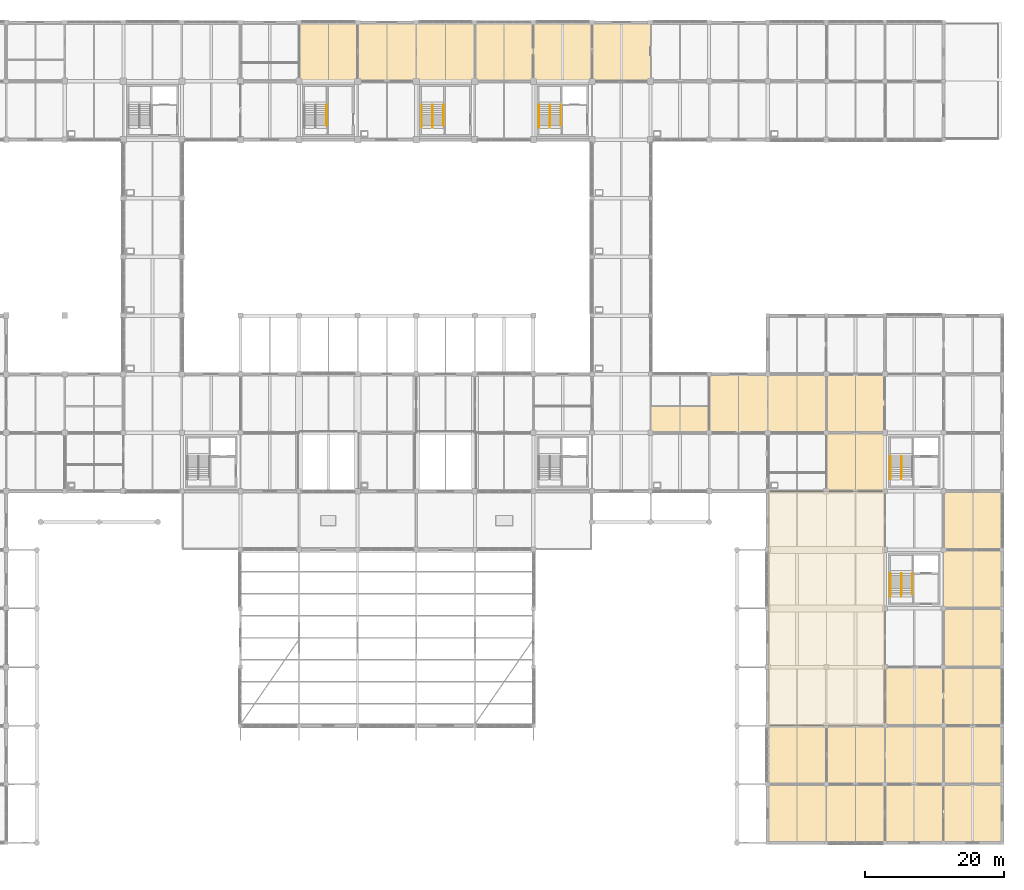
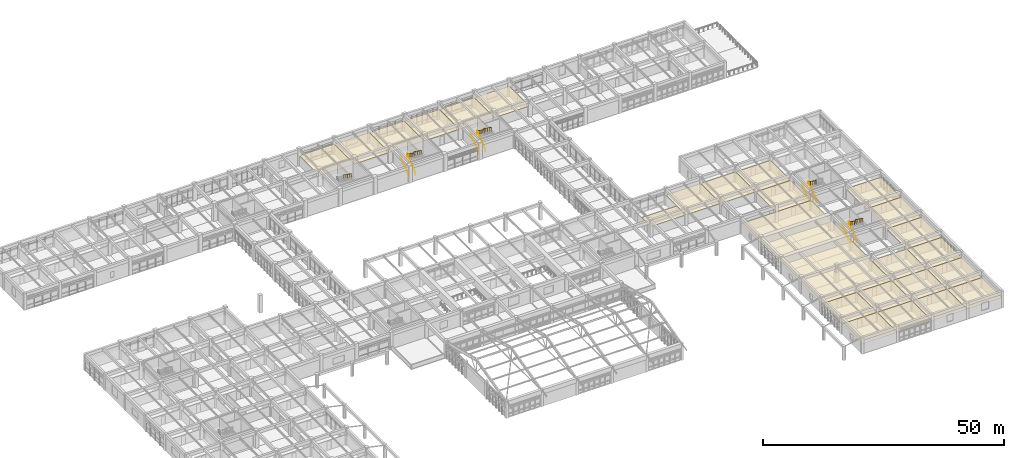
# One storey, part 98 of 99: 25 coverings, 16 railings.
"""IFC4 building model written with IfcOpenShell, lengths in metres."""

from ifc_helpers import new_model, si_unit, direction, frame, origin, origin_2d, place, context, subcontext, project, spatial, polyline, circle, outline, extrude, material, layer, layer_set, type_object, element, save


model = new_model("IFC4")

# Units and contexts
model_context = context("Model", 3, precision=1e-05, world=origin(), true_north=direction((0.0, 1.0)))
body_context = subcontext(model_context, "Body", "Model", "MODEL_VIEW")
ifc_project = project(units=[si_unit("LENGTHUNIT", "METRE"), si_unit("AREAUNIT", "SQUARE_METRE"), si_unit("VOLUMEUNIT", "CUBIC_METRE"), si_unit("PLANEANGLEUNIT", "RADIAN"), si_unit("MASSUNIT", "GRAM", prefix="KILO")], contexts=[model_context])

# Site, building, storey
site_placement = place(None, origin())
site = spatial("IfcSite", under=ifc_project, at=site_placement, CompositionType="ELEMENT")
building_placement = place(site_placement, origin())
building = spatial("IfcBuilding", under=site, at=building_placement, Name="Porcellanite Civic Hall", CompositionType="ELEMENT")
storey_placement = place(building_placement, frame((0.0, 0.0, 5.760009765625)))
storey = spatial("IfcBuildingStorey", under=building, at=storey_placement, Name="L01", CompositionType="ELEMENT", Elevation=5.760009765625)

# Coverings
ifc_material_1 = material(Name="Perforated acoustic mineral-fibre and spotted-gum batten ceiling")
ifc_layer_1 = layer(ifc_material_1, 0.02490234375)
ifc_layer_set_1 = layer_set([ifc_layer_1], Name="Perforated acoustic mineral-fibre and spotted-gum batten ceiling")
covering_type_1 = type_object("IfcCoveringType", Name="COV-CL1", PredefinedType="CEILING", material=ifc_layer_set_1)
covering_1_placement = place(storey_placement, frame((0.0, 0.0, 2.375)))
element("IfcCovering", 1, at=covering_1_placement, inside=storey, type_object=covering_type_1, Name="Acoustic ceiling Parliamentary Research Suite L01-A", PredefinedType="CEILING", context=body_context, shape_type="SweptSolid", body=[
    extrude(outline(polyline([(126.010009765625, 58.81005859375), (134.389892578125, 58.81005859375), (134.389892578125, 62.590087890625), (126.010009765625, 62.590087890625), (126.010009765625, 58.81005859375)])), origin(), (0.0, 0.0, 1.0), 0.02490234375),
])
covering_2_placement = place(storey_placement, frame((0.0, 0.0, 2.375)))
element("IfcCovering", 2, at=covering_2_placement, inside=storey, type_object=covering_type_1, Name="Acoustic ceiling Procurement Suite L01-59", PredefinedType="CEILING", context=body_context, shape_type="SweptSolid", body=[
    extrude(outline(polyline([(75.610107421875, 109.2099609375), (83.989990234375, 109.2099609375), (83.989990234375, 117.590087890625), (75.610107421875, 117.590087890625), (75.610107421875, 109.2099609375)])), origin(), (0.0, 0.0, 1.0), 0.02490234375),
])
covering_3_placement = place(storey_placement, frame((0.0, 0.0, 2.375)))
element("IfcCovering", 3, at=covering_3_placement, inside=storey, type_object=covering_type_1, Name="Acoustic ceiling Civic Events Directorate L01-62", PredefinedType="CEILING", context=body_context, shape_type="SweptSolid", body=[
    extrude(outline(polyline([(84.010009765625, 109.2099609375), (92.389892578125, 109.2099609375), (92.389892578125, 117.590087890625), (84.010009765625, 117.590087890625), (84.010009765625, 109.2099609375)])), origin(), (0.0, 0.0, 1.0), 0.02490234375),
])
covering_4_placement = place(storey_placement, frame((0.0, 0.0, 2.375)))
element("IfcCovering", 4, at=covering_4_placement, inside=storey, type_object=covering_type_1, Name="Acoustic ceiling Municipal Finance Office L01-64", PredefinedType="CEILING", context=body_context, shape_type="SweptSolid", body=[
    extrude(outline(polyline([(92.409912109375, 109.2099609375), (100.7900390625, 109.2099609375), (100.7900390625, 117.590087890625), (92.409912109375, 117.590087890625), (92.409912109375, 109.2099609375)])), origin(), (0.0, 0.0, 1.0), 0.02490234375),
])
covering_5_placement = place(storey_placement, frame((0.0, 0.0, 2.375)))
element("IfcCovering", 5, at=covering_5_placement, inside=storey, type_object=covering_type_1, Name="Acoustic ceiling Civic Events Directorate L01-68", PredefinedType="CEILING", context=body_context, shape_type="SweptSolid", body=[
    extrude(outline(polyline([(100.81005859375, 109.2099609375), (109.18994140625, 109.2099609375), (109.18994140625, 117.590087890625), (100.81005859375, 117.590087890625), (100.81005859375, 109.2099609375)])), origin(), (0.0, 0.0, 1.0), 0.02490234375),
])
covering_6_placement = place(storey_placement, frame((0.0, 0.0, 2.375)))
element("IfcCovering", 6, at=covering_6_placement, inside=storey, type_object=covering_type_1, Name="Acoustic ceiling Civic Events Directorate L01-69", PredefinedType="CEILING", context=body_context, shape_type="SweptSolid", body=[
    extrude(outline(polyline([(109.2099609375, 109.2099609375), (117.590087890625, 109.2099609375), (117.590087890625, 117.590087890625), (109.2099609375, 117.590087890625), (109.2099609375, 109.2099609375)])), origin(), (0.0, 0.0, 1.0), 0.02490234375),
])
covering_7_placement = place(storey_placement, frame((0.0, 0.0, 2.375)))
element("IfcCovering", 7, at=covering_7_placement, inside=storey, type_object=covering_type_1, Name="Acoustic ceiling Customer Relations Office L01-77", PredefinedType="CEILING", context=body_context, shape_type="SweptSolid", body=[
    extrude(outline(polyline([(117.610107421875, 109.2099609375), (125.989990234375, 109.2099609375), (125.989990234375, 117.590087890625), (117.610107421875, 117.590087890625), (117.610107421875, 109.2099609375)])), origin(), (0.0, 0.0, 1.0), 0.02490234375),
])
covering_8_placement = place(storey_placement, frame((0.0, 0.0, 2.375)))
element("IfcCovering", 8, at=covering_8_placement, inside=storey, type_object=covering_type_1, Name="Acoustic ceiling Hansard Bound Volumes Office L01-81", PredefinedType="CEILING", context=body_context, shape_type="SweptSolid", body=[
    extrude(outline(polyline([(134.409912109375, 58.81005859375), (142.7900390625, 58.81005859375), (142.7900390625, 67.18994140625), (134.409912109375, 67.18994140625), (134.409912109375, 58.81005859375)])), origin(), (0.0, 0.0, 1.0), 0.02490234375),
])
covering_9_placement = place(storey_placement, frame((0.0, 0.0, 2.375)))
element("IfcCovering", 9, at=covering_9_placement, inside=storey, type_object=covering_type_1, Name="Acoustic ceiling Parliamentary Research Suite L01-83", PredefinedType="CEILING", context=body_context, shape_type="SweptSolid", body=[
    extrude(outline(polyline([(142.81005859375, 0.010009765625), (151.18994140625, 0.010009765625), (151.18994140625, 8.389892578125), (142.81005859375, 8.389892578125), (142.81005859375, 0.010009765625)])), origin(), (0.0, 0.0, 1.0), 0.02490234375),
])
covering_10_placement = place(storey_placement, frame((0.0, 0.0, 2.375)))
element("IfcCovering", 10, at=covering_10_placement, inside=storey, type_object=covering_type_1, Name="Acoustic ceiling Legislative Indexing Office L01-84", PredefinedType="CEILING", context=body_context, shape_type="SweptSolid", body=[
    extrude(outline(polyline([(142.81005859375, 8.409912109375), (151.18994140625, 8.409912109375), (151.18994140625, 16.7900390625), (142.81005859375, 16.7900390625), (142.81005859375, 8.409912109375)])), origin(), (0.0, 0.0, 1.0), 0.02490234375),
])
covering_11_placement = place(storey_placement, frame((0.0, 0.0, 2.375)))
element("IfcCovering", 11, at=covering_11_placement, inside=storey, type_object=covering_type_1, Name="Acoustic ceiling Hansard Bound Volumes Office L01-85", PredefinedType="CEILING", context=body_context, shape_type="SweptSolid", body=[
    extrude(outline(polyline([(142.81005859375, 58.81005859375), (151.18994140625, 58.81005859375), (151.18994140625, 67.18994140625), (142.81005859375, 67.18994140625), (142.81005859375, 58.81005859375)])), origin(), (0.0, 0.0, 1.0), 0.02490234375),
])
covering_12_placement = place(storey_placement, frame((0.0, 0.0, 2.375)))
element("IfcCovering", 12, at=covering_12_placement, inside=storey, type_object=covering_type_1, Name="Acoustic ceiling Legislative Indexing Office L01-89", PredefinedType="CEILING", context=body_context, shape_type="SweptSolid", body=[
    extrude(outline(polyline([(151.2099609375, 0.010009765625), (159.590087890625, 0.010009765625), (159.590087890625, 8.389892578125), (151.2099609375, 8.389892578125), (151.2099609375, 0.010009765625)])), origin(), (0.0, 0.0, 1.0), 0.02490234375),
])
covering_13_placement = place(storey_placement, frame((0.0, 0.0, 2.375)))
element("IfcCovering", 13, at=covering_13_placement, inside=storey, type_object=covering_type_1, Name="Acoustic ceiling Hansard Bound Volumes Office L01-90", PredefinedType="CEILING", context=body_context, shape_type="SweptSolid", body=[
    extrude(outline(polyline([(151.2099609375, 8.409912109375), (159.590087890625, 8.409912109375), (159.590087890625, 16.7900390625), (151.2099609375, 16.7900390625), (151.2099609375, 8.409912109375)])), origin(), (0.0, 0.0, 1.0), 0.02490234375),
])
covering_14_placement = place(storey_placement, frame((0.0, 0.0, 2.375)))
element("IfcCovering", 14, at=covering_14_placement, inside=storey, type_object=covering_type_1, Name="Acoustic ceiling Parliamentary Research Suite L01-91", PredefinedType="CEILING", context=body_context, shape_type="SweptSolid", body=[
    extrude(outline(polyline([(151.2099609375, 50.409912109375), (159.590087890625, 50.409912109375), (159.590087890625, 58.7900390625), (151.2099609375, 58.7900390625), (151.2099609375, 50.409912109375)])), origin(), (0.0, 0.0, 1.0), 0.02490234375),
])
covering_15_placement = place(storey_placement, frame((0.0, 0.0, 2.375)))
element("IfcCovering", 15, at=covering_15_placement, inside=storey, type_object=covering_type_1, Name="Acoustic ceiling Legislative Indexing Office L01-92", PredefinedType="CEILING", context=body_context, shape_type="SweptSolid", body=[
    extrude(outline(polyline([(151.2099609375, 58.81005859375), (159.590087890625, 58.81005859375), (159.590087890625, 67.18994140625), (151.2099609375, 67.18994140625), (151.2099609375, 58.81005859375)])), origin(), (0.0, 0.0, 1.0), 0.02490234375),
])
covering_16_placement = place(storey_placement, frame((0.0, 0.0, 2.375)))
element("IfcCovering", 16, at=covering_16_placement, inside=storey, type_object=covering_type_1, Name="Acoustic ceiling Parliamentary Research Suite L01-96", PredefinedType="CEILING", context=body_context, shape_type="SweptSolid", body=[
    extrude(outline(polyline([(159.610107421875, 0.010009765625), (167.989990234375, 0.010009765625), (167.989990234375, 8.389892578125), (159.610107421875, 8.389892578125), (159.610107421875, 0.010009765625)])), origin(), (0.0, 0.0, 1.0), 0.02490234375),
])
covering_17_placement = place(storey_placement, frame((0.0, 0.0, 2.375)))
element("IfcCovering", 17, at=covering_17_placement, inside=storey, type_object=covering_type_1, Name="Acoustic ceiling Legislative Indexing Office L01-97", PredefinedType="CEILING", context=body_context, shape_type="SweptSolid", body=[
    extrude(outline(polyline([(159.610107421875, 8.409912109375), (167.989990234375, 8.409912109375), (167.989990234375, 16.7900390625), (159.610107421875, 16.7900390625), (159.610107421875, 8.409912109375)])), origin(), (0.0, 0.0, 1.0), 0.02490234375),
])
covering_18_placement = place(storey_placement, frame((0.0, 0.0, 2.375)))
element("IfcCovering", 18, at=covering_18_placement, inside=storey, type_object=covering_type_1, Name="Acoustic ceiling Hansard Bound Volumes Office L01-98", PredefinedType="CEILING", context=body_context, shape_type="SweptSolid", body=[
    extrude(outline(polyline([(159.610107421875, 16.81005859375), (167.989990234375, 16.81005859375), (167.989990234375, 25.18994140625), (159.610107421875, 25.18994140625), (159.610107421875, 16.81005859375)])), origin(), (0.0, 0.0, 1.0), 0.02490234375),
])
covering_19_placement = place(storey_placement, frame((0.0, 0.0, 2.375)))
element("IfcCovering", 19, at=covering_19_placement, inside=storey, type_object=covering_type_1, Name="Acoustic ceiling Parliamentary Research Suite L01-105", PredefinedType="CEILING", context=body_context, shape_type="SweptSolid", body=[
    extrude(outline(polyline([(168.010009765625, 0.010009765625), (176.389892578125, 0.010009765625), (176.389892578125, 8.389892578125), (168.010009765625, 8.389892578125), (168.010009765625, 0.010009765625)])), origin(), (0.0, 0.0, 1.0), 0.02490234375),
])
covering_20_placement = place(storey_placement, frame((0.0, 0.0, 2.375)))
element("IfcCovering", 20, at=covering_20_placement, inside=storey, type_object=covering_type_1, Name="Acoustic ceiling Legislative Indexing Office L01-106", PredefinedType="CEILING", context=body_context, shape_type="SweptSolid", body=[
    extrude(outline(polyline([(168.010009765625, 8.409912109375), (176.389892578125, 8.409912109375), (176.389892578125, 16.7900390625), (168.010009765625, 16.7900390625), (168.010009765625, 8.409912109375)])), origin(), (0.0, 0.0, 1.0), 0.02490234375),
])
covering_21_placement = place(storey_placement, frame((0.0, 0.0, 2.375)))
element("IfcCovering", 21, at=covering_21_placement, inside=storey, type_object=covering_type_1, Name="Acoustic ceiling Hansard Bound Volumes Office L01-107", PredefinedType="CEILING", context=body_context, shape_type="SweptSolid", body=[
    extrude(outline(polyline([(168.010009765625, 16.81005859375), (176.389892578125, 16.81005859375), (176.389892578125, 25.18994140625), (168.010009765625, 25.18994140625), (168.010009765625, 16.81005859375)])), origin(), (0.0, 0.0, 1.0), 0.02490234375),
])
covering_22_placement = place(storey_placement, frame((0.0, 0.0, 2.375)))
element("IfcCovering", 22, at=covering_22_placement, inside=storey, type_object=covering_type_1, Name="Acoustic ceiling Map and Charter Collection Room L01-108", PredefinedType="CEILING", context=body_context, shape_type="SweptSolid", body=[
    extrude(outline(polyline([(168.010009765625, 25.2099609375), (176.389892578125, 25.2099609375), (176.389892578125, 33.590087890625), (168.010009765625, 33.590087890625), (168.010009765625, 25.2099609375)])), origin(), (0.0, 0.0, 1.0), 0.02490234375),
])
covering_23_placement = place(storey_placement, frame((0.0, 0.0, 2.375)))
element("IfcCovering", 23, at=covering_23_placement, inside=storey, type_object=covering_type_1, Name="Acoustic ceiling Statutes Reference Office L01-109", PredefinedType="CEILING", context=body_context, shape_type="SweptSolid", body=[
    extrude(outline(polyline([(168.010009765625, 33.610107421875), (176.389892578125, 33.610107421875), (176.389892578125, 41.989990234375), (168.010009765625, 41.989990234375), (168.010009765625, 33.610107421875)])), origin(), (0.0, 0.0, 1.0), 0.02490234375),
])
covering_24_placement = place(storey_placement, frame((0.0, 0.0, 2.375)))
element("IfcCovering", 24, at=covering_24_placement, inside=storey, type_object=covering_type_1, Name="Acoustic ceiling Parliamentary Research Suite L01-110", PredefinedType="CEILING", context=body_context, shape_type="SweptSolid", body=[
    extrude(outline(polyline([(168.010009765625, 42.010009765625), (176.389892578125, 42.010009765625), (176.389892578125, 50.389892578125), (168.010009765625, 50.389892578125), (168.010009765625, 42.010009765625)])), origin(), (0.0, 0.0, 1.0), 0.02490234375),
])
ifc_material_2 = material(Name="Perforated acoustic mineral-fibre and spotted-gum batten ceiling")
ifc_layer_2 = layer(ifc_material_2, 0.034912109375)
ifc_layer_set_2 = layer_set([ifc_layer_2], Name="Perforated acoustic mineral-fibre and spotted-gum batten ceiling")
covering_type_2 = type_object("IfcCoveringType", Name="COV-CL2", PredefinedType="CEILING", material=ifc_layer_set_2)
covering_25_placement = place(storey_placement, frame((0.0, 0.0, 2.364990234375)))
element("IfcCovering", 25, at=covering_25_placement, inside=storey, type_object=covering_type_2, Name="Acoustic ceiling Members Library Reading Hall", PredefinedType="CEILING", context=body_context, shape_type="SweptSolid", body=[
    extrude(outline(polyline([(142.81005859375, 16.81005859375), (159.590087890625, 16.81005859375), (159.590087890625, 50.389892578125), (142.81005859375, 50.389892578125), (142.81005859375, 16.81005859375)])), origin(), (0.0, 0.0, 1.0), 0.034912109375),
])

# Railings
ifc_material_3 = material(Name="Brushed stainless steel 316", Category="steel")
railing_type_1 = type_object("IfcRailingType", Name="RL-HR920", PredefinedType="HANDRAIL", material=ifc_material_3)
railing_1_placement = place(storey_placement, frame((109.985107421875, 102.52490234375, 0.0)))
element("IfcRailing", 26, at=railing_1_placement, inside=storey, type_object=railing_type_1, Name="Stair handrail ST-04 L01 1", PredefinedType="HANDRAIL", context=body_context, shape_type="SweptSolid", body=[
    extrude(circle(Radius=0.02197265625, at=origin_2d()), frame((0.0, 0.0, 0.89794921875), z_axis=(0.0, 0.815726678323, 0.578437538782), x_axis=(-1.0, 0.0, 0.0)), (0.0, 0.0, 1.0), 4.045654296875),
    extrude(circle(Radius=0.01904296875, at=origin_2d()), origin(), (0.0, 0.0, 1.0), 0.8759765625),
    extrude(circle(Radius=0.01904296875, at=origin_2d()), frame((0.0, 0.824951171875, 0.5849609375)), (0.0, 0.0, 1.0), 0.8759765625),
    extrude(circle(Radius=0.01904296875, at=origin_2d()), frame((0.0, 1.64990234375, 1.169921875)), (0.0, 0.0, 1.0), 0.8759765625),
    extrude(circle(Radius=0.01904296875, at=origin_2d()), frame((0.0, 2.47509765625, 1.755126953125)), (0.0, 0.0, 1.0), 0.8759765625),
    extrude(circle(Radius=0.01904296875, at=origin_2d()), frame((0.0, 3.300048828125, 2.340087890625)), (0.0, 0.0, 1.0), 0.8759765625),
])
railing_2_placement = place(storey_placement, frame((111.56494140625, 105.824951171875, 2.340087890625)))
element("IfcRailing", 27, at=railing_2_placement, inside=storey, type_object=railing_type_1, Name="Stair handrail ST-04 L01 3", PredefinedType="HANDRAIL", context=body_context, shape_type="SweptSolid", body=[
    extrude(circle(Radius=0.02197265625, at=origin_2d()), frame((0.0, 0.0, 0.89794921875), z_axis=(0.0, -0.813826661234, 0.581107705564), x_axis=(1.0, 0.0, 0.0)), (0.0, 0.0, 1.0), 3.716796875),
    extrude(circle(Radius=0.01904296875, at=origin_2d()), origin(), (0.0, 0.0, 1.0), 0.8759765625),
    extrude(circle(Radius=0.01904296875, at=origin_2d()), frame((0.0, -0.75634765625, 0.5400390625)), (0.0, 0.0, 1.0), 0.8759765625),
    extrude(circle(Radius=0.01904296875, at=origin_2d()), frame((0.0, -1.512451171875, 1.080078125)), (0.0, 0.0, 1.0), 0.8759765625),
    extrude(circle(Radius=0.01904296875, at=origin_2d()), frame((0.0, -2.2685546875, 1.619873046875)), (0.0, 0.0, 1.0), 0.8759765625),
    extrude(circle(Radius=0.01904296875, at=origin_2d()), frame((0.0, -3.02490234375, 2.159912109375)), (0.0, 0.0, 1.0), 0.8759765625),
])
railing_3_placement = place(storey_placement, frame((160.385009765625, 35.324951171875, 0.0)))
element("IfcRailing", 28, at=railing_3_placement, inside=storey, type_object=railing_type_1, Name="Stair handrail ST-07 L01 1", PredefinedType="HANDRAIL", context=body_context, shape_type="SweptSolid", body=[
    extrude(circle(Radius=0.02197265625, at=origin_2d()), frame((0.0, 0.0, 0.89794921875), z_axis=(0.0, 0.815726678323, 0.578437538782), x_axis=(-1.0, 0.0, 0.0)), (0.0, 0.0, 1.0), 4.045654296875),
    extrude(circle(Radius=0.01904296875, at=origin_2d()), origin(), (0.0, 0.0, 1.0), 0.8759765625),
    extrude(circle(Radius=0.01904296875, at=origin_2d()), frame((0.0, 0.824951171875, 0.5849609375)), (0.0, 0.0, 1.0), 0.8759765625),
    extrude(circle(Radius=0.01904296875, at=origin_2d()), frame((0.0, 1.64990234375, 1.169921875)), (0.0, 0.0, 1.0), 0.8759765625),
    extrude(circle(Radius=0.01904296875, at=origin_2d()), frame((0.0, 2.47509765625, 1.755126953125)), (0.0, 0.0, 1.0), 0.8759765625),
    extrude(circle(Radius=0.01904296875, at=origin_2d()), frame((0.0, 3.300048828125, 2.340087890625)), (0.0, 0.0, 1.0), 0.8759765625),
])
railing_4_placement = place(storey_placement, frame((161.965087890625, 38.625, 2.340087890625)))
element("IfcRailing", 29, at=railing_4_placement, inside=storey, type_object=railing_type_1, Name="Stair handrail ST-07 L01 3", PredefinedType="HANDRAIL", context=body_context, shape_type="SweptSolid", body=[
    extrude(circle(Radius=0.02197265625, at=origin_2d()), frame((0.0, 0.0, 0.89794921875), z_axis=(0.0, -0.813826661234, 0.581107705564), x_axis=(1.0, 0.0, 0.0)), (0.0, 0.0, 1.0), 3.716796875),
    extrude(circle(Radius=0.01904296875, at=origin_2d()), origin(), (0.0, 0.0, 1.0), 0.8759765625),
    extrude(circle(Radius=0.01904296875, at=origin_2d()), frame((0.0, -0.75634765625, 0.5400390625)), (0.0, 0.0, 1.0), 0.8759765625),
    extrude(circle(Radius=0.01904296875, at=origin_2d()), frame((0.0, -1.512451171875, 1.080078125)), (0.0, 0.0, 1.0), 0.8759765625),
    extrude(circle(Radius=0.01904296875, at=origin_2d()), frame((0.0, -2.2685546875, 1.619873046875)), (0.0, 0.0, 1.0), 0.8759765625),
    extrude(circle(Radius=0.01904296875, at=origin_2d()), frame((0.0, -3.02490234375, 2.159912109375)), (0.0, 0.0, 1.0), 0.8759765625),
])
railing_5_placement = place(storey_placement, frame((160.385009765625, 52.125, 0.0)))
element("IfcRailing", 30, at=railing_5_placement, inside=storey, type_object=railing_type_1, Name="Stair handrail ST-08 L01 1", PredefinedType="HANDRAIL", context=body_context, shape_type="SweptSolid", body=[
    extrude(circle(Radius=0.02197265625, at=origin_2d()), frame((0.0, 0.0, 0.89794921875), z_axis=(0.0, 0.815726678323, 0.578437538782), x_axis=(-1.0, 0.0, 0.0)), (0.0, 0.0, 1.0), 4.045654296875),
    extrude(circle(Radius=0.01904296875, at=origin_2d()), origin(), (0.0, 0.0, 1.0), 0.8759765625),
    extrude(circle(Radius=0.01904296875, at=origin_2d()), frame((0.0, 0.824951171875, 0.5849609375)), (0.0, 0.0, 1.0), 0.8759765625),
    extrude(circle(Radius=0.01904296875, at=origin_2d()), frame((0.0, 1.64990234375, 1.169921875)), (0.0, 0.0, 1.0), 0.8759765625),
    extrude(circle(Radius=0.01904296875, at=origin_2d()), frame((0.0, 2.47509765625, 1.755126953125)), (0.0, 0.0, 1.0), 0.8759765625),
    extrude(circle(Radius=0.01904296875, at=origin_2d()), frame((0.0, 3.300048828125, 2.340087890625)), (0.0, 0.0, 1.0), 0.8759765625),
])
railing_6_placement = place(storey_placement, frame((161.965087890625, 55.425048828125, 2.340087890625)))
element("IfcRailing", 31, at=railing_6_placement, inside=storey, type_object=railing_type_1, Name="Stair handrail ST-08 L01 3", PredefinedType="HANDRAIL", context=body_context, shape_type="SweptSolid", body=[
    extrude(circle(Radius=0.02197265625, at=origin_2d()), frame((0.0, 0.0, 0.89794921875), z_axis=(0.0, -0.813848840085, 0.581076643389), x_axis=(1.0, 0.0, 0.0)), (0.0, 0.0, 1.0), 3.717041015625),
    extrude(circle(Radius=0.01904296875, at=origin_2d()), origin(), (0.0, 0.0, 1.0), 0.8759765625),
    extrude(circle(Radius=0.01904296875, at=origin_2d()), frame((0.0, -0.75634765625, 0.5400390625)), (0.0, 0.0, 1.0), 0.8759765625),
    extrude(circle(Radius=0.01904296875, at=origin_2d()), frame((0.0, -1.5126953125, 1.080078125)), (0.0, 0.0, 1.0), 0.8759765625),
    extrude(circle(Radius=0.01904296875, at=origin_2d()), frame((0.0, -2.268798828125, 1.619873046875)), (0.0, 0.0, 1.0), 0.8759765625),
    extrude(circle(Radius=0.01904296875, at=origin_2d()), frame((0.0, -3.025146484375, 2.159912109375)), (0.0, 0.0, 1.0), 0.8759765625),
])
railing_7_placement = place(storey_placement, frame((93.18505859375, 102.52490234375, 0.0)))
element("IfcRailing", 32, at=railing_7_placement, inside=storey, type_object=railing_type_1, Name="Stair handrail ST-10 L01 1", PredefinedType="HANDRAIL", context=body_context, shape_type="SweptSolid", body=[
    extrude(circle(Radius=0.02197265625, at=origin_2d()), frame((0.0, 0.0, 0.89794921875), z_axis=(0.0, 0.815726678323, 0.578437538782), x_axis=(-1.0, 0.0, 0.0)), (0.0, 0.0, 1.0), 4.045654296875),
    extrude(circle(Radius=0.01904296875, at=origin_2d()), origin(), (0.0, 0.0, 1.0), 0.8759765625),
    extrude(circle(Radius=0.01904296875, at=origin_2d()), frame((0.0, 0.824951171875, 0.5849609375)), (0.0, 0.0, 1.0), 0.8759765625),
    extrude(circle(Radius=0.01904296875, at=origin_2d()), frame((0.0, 1.64990234375, 1.169921875)), (0.0, 0.0, 1.0), 0.8759765625),
    extrude(circle(Radius=0.01904296875, at=origin_2d()), frame((0.0, 2.47509765625, 1.755126953125)), (0.0, 0.0, 1.0), 0.8759765625),
    extrude(circle(Radius=0.01904296875, at=origin_2d()), frame((0.0, 3.300048828125, 2.340087890625)), (0.0, 0.0, 1.0), 0.8759765625),
])
railing_8_placement = place(storey_placement, frame((94.764892578125, 105.824951171875, 2.340087890625)))
element("IfcRailing", 33, at=railing_8_placement, inside=storey, type_object=railing_type_1, Name="Stair handrail ST-10 L01 3", PredefinedType="HANDRAIL", context=body_context, shape_type="SweptSolid", body=[
    extrude(circle(Radius=0.02197265625, at=origin_2d()), frame((0.0, 0.0, 0.89794921875), z_axis=(0.0, -0.813826661234, 0.581107705564), x_axis=(1.0, 0.0, 0.0)), (0.0, 0.0, 1.0), 3.716796875),
    extrude(circle(Radius=0.01904296875, at=origin_2d()), origin(), (0.0, 0.0, 1.0), 0.8759765625),
    extrude(circle(Radius=0.01904296875, at=origin_2d()), frame((0.0, -0.75634765625, 0.5400390625)), (0.0, 0.0, 1.0), 0.8759765625),
    extrude(circle(Radius=0.01904296875, at=origin_2d()), frame((0.0, -1.512451171875, 1.080078125)), (0.0, 0.0, 1.0), 0.8759765625),
    extrude(circle(Radius=0.01904296875, at=origin_2d()), frame((0.0, -2.2685546875, 1.619873046875)), (0.0, 0.0, 1.0), 0.8759765625),
    extrude(circle(Radius=0.01904296875, at=origin_2d()), frame((0.0, -3.02490234375, 2.159912109375)), (0.0, 0.0, 1.0), 0.8759765625),
])
ifc_material_4 = material(Name="Brushed stainless steel 316", Category="steel")
railing_type_2 = type_object("IfcRailingType", Name="RL-HR950", PredefinedType="HANDRAIL", material=ifc_material_4)
railing_9_placement = place(storey_placement, frame((111.534912109375, 102.52490234375, 0.0)))
element("IfcRailing", 34, at=railing_9_placement, inside=storey, type_object=railing_type_2, Name="Stair handrail ST-04 L01 2", PredefinedType="HANDRAIL", context=body_context, shape_type="SweptSolid", body=[
    extrude(circle(Radius=0.02197265625, at=origin_2d()), frame((0.0, 0.0, 0.927978515625), z_axis=(0.0, 0.815726678323, 0.578437538782), x_axis=(-1.0, 0.0, 0.0)), (0.0, 0.0, 1.0), 4.045654296875),
    extrude(circle(Radius=0.01904296875, at=origin_2d()), origin(), (0.0, 0.0, 1.0), 0.906005859375),
    extrude(circle(Radius=0.01904296875, at=origin_2d()), frame((0.0, 0.824951171875, 0.5849609375)), (0.0, 0.0, 1.0), 0.906005859375),
    extrude(circle(Radius=0.01904296875, at=origin_2d()), frame((0.0, 1.64990234375, 1.169921875)), (0.0, 0.0, 1.0), 0.906005859375),
    extrude(circle(Radius=0.01904296875, at=origin_2d()), frame((0.0, 2.47509765625, 1.755126953125)), (0.0, 0.0, 1.0), 0.906005859375),
    extrude(circle(Radius=0.01904296875, at=origin_2d()), frame((0.0, 3.300048828125, 2.340087890625)), (0.0, 0.0, 1.0), 0.906005859375),
])
railing_10_placement = place(storey_placement, frame((113.114990234375, 105.824951171875, 2.340087890625)))
element("IfcRailing", 35, at=railing_10_placement, inside=storey, type_object=railing_type_2, Name="Stair handrail ST-04 L01 4", PredefinedType="HANDRAIL", context=body_context, shape_type="SweptSolid", body=[
    extrude(circle(Radius=0.02197265625, at=origin_2d()), frame((0.0, 0.0, 0.927978515625), z_axis=(0.0, -0.813826661234, 0.581107705564), x_axis=(1.0, 0.0, 0.0)), (0.0, 0.0, 1.0), 3.716796875),
    extrude(circle(Radius=0.01904296875, at=origin_2d()), origin(), (0.0, 0.0, 1.0), 0.906005859375),
    extrude(circle(Radius=0.01904296875, at=origin_2d()), frame((0.0, -0.75634765625, 0.5400390625)), (0.0, 0.0, 1.0), 0.906005859375),
    extrude(circle(Radius=0.01904296875, at=origin_2d()), frame((0.0, -1.512451171875, 1.080078125)), (0.0, 0.0, 1.0), 0.906005859375),
    extrude(circle(Radius=0.01904296875, at=origin_2d()), frame((0.0, -2.2685546875, 1.619873046875)), (0.0, 0.0, 1.0), 0.906005859375),
    extrude(circle(Radius=0.01904296875, at=origin_2d()), frame((0.0, -3.02490234375, 2.159912109375)), (0.0, 0.0, 1.0), 0.906005859375),
])
railing_11_placement = place(storey_placement, frame((161.93505859375, 35.324951171875, 0.0)))
element("IfcRailing", 36, at=railing_11_placement, inside=storey, type_object=railing_type_2, Name="Stair handrail ST-07 L01 2", PredefinedType="HANDRAIL", context=body_context, shape_type="SweptSolid", body=[
    extrude(circle(Radius=0.02197265625, at=origin_2d()), frame((0.0, 0.0, 0.927978515625), z_axis=(0.0, 0.815726678323, 0.578437538782), x_axis=(-1.0, 0.0, 0.0)), (0.0, 0.0, 1.0), 4.045654296875),
    extrude(circle(Radius=0.01904296875, at=origin_2d()), origin(), (0.0, 0.0, 1.0), 0.906005859375),
    extrude(circle(Radius=0.01904296875, at=origin_2d()), frame((0.0, 0.824951171875, 0.5849609375)), (0.0, 0.0, 1.0), 0.906005859375),
    extrude(circle(Radius=0.01904296875, at=origin_2d()), frame((0.0, 1.64990234375, 1.169921875)), (0.0, 0.0, 1.0), 0.906005859375),
    extrude(circle(Radius=0.01904296875, at=origin_2d()), frame((0.0, 2.47509765625, 1.755126953125)), (0.0, 0.0, 1.0), 0.906005859375),
    extrude(circle(Radius=0.01904296875, at=origin_2d()), frame((0.0, 3.300048828125, 2.340087890625)), (0.0, 0.0, 1.0), 0.906005859375),
])
railing_12_placement = place(storey_placement, frame((163.514892578125, 38.625, 2.340087890625)))
element("IfcRailing", 37, at=railing_12_placement, inside=storey, type_object=railing_type_2, Name="Stair handrail ST-07 L01 4", PredefinedType="HANDRAIL", context=body_context, shape_type="SweptSolid", body=[
    extrude(circle(Radius=0.02197265625, at=origin_2d()), frame((0.0, 0.0, 0.927978515625), z_axis=(0.0, -0.813826661234, 0.581107705564), x_axis=(1.0, 0.0, 0.0)), (0.0, 0.0, 1.0), 3.716796875),
    extrude(circle(Radius=0.01904296875, at=origin_2d()), origin(), (0.0, 0.0, 1.0), 0.906005859375),
    extrude(circle(Radius=0.01904296875, at=origin_2d()), frame((0.0, -0.75634765625, 0.5400390625)), (0.0, 0.0, 1.0), 0.906005859375),
    extrude(circle(Radius=0.01904296875, at=origin_2d()), frame((0.0, -1.512451171875, 1.080078125)), (0.0, 0.0, 1.0), 0.906005859375),
    extrude(circle(Radius=0.01904296875, at=origin_2d()), frame((0.0, -2.2685546875, 1.619873046875)), (0.0, 0.0, 1.0), 0.906005859375),
    extrude(circle(Radius=0.01904296875, at=origin_2d()), frame((0.0, -3.02490234375, 2.159912109375)), (0.0, 0.0, 1.0), 0.906005859375),
])
railing_13_placement = place(storey_placement, frame((161.93505859375, 52.125, 0.0)))
element("IfcRailing", 38, at=railing_13_placement, inside=storey, type_object=railing_type_2, Name="Stair handrail ST-08 L01 2", PredefinedType="HANDRAIL", context=body_context, shape_type="SweptSolid", body=[
    extrude(circle(Radius=0.02197265625, at=origin_2d()), frame((0.0, 0.0, 0.927978515625), z_axis=(0.0, 0.815726678323, 0.578437538782), x_axis=(-1.0, 0.0, 0.0)), (0.0, 0.0, 1.0), 4.045654296875),
    extrude(circle(Radius=0.01904296875, at=origin_2d()), origin(), (0.0, 0.0, 1.0), 0.906005859375),
    extrude(circle(Radius=0.01904296875, at=origin_2d()), frame((0.0, 0.824951171875, 0.5849609375)), (0.0, 0.0, 1.0), 0.906005859375),
    extrude(circle(Radius=0.01904296875, at=origin_2d()), frame((0.0, 1.64990234375, 1.169921875)), (0.0, 0.0, 1.0), 0.906005859375),
    extrude(circle(Radius=0.01904296875, at=origin_2d()), frame((0.0, 2.47509765625, 1.755126953125)), (0.0, 0.0, 1.0), 0.906005859375),
    extrude(circle(Radius=0.01904296875, at=origin_2d()), frame((0.0, 3.300048828125, 2.340087890625)), (0.0, 0.0, 1.0), 0.906005859375),
])
railing_14_placement = place(storey_placement, frame((79.514892578125, 105.824951171875, 2.340087890625)))
element("IfcRailing", 39, at=railing_14_placement, inside=storey, type_object=railing_type_2, Name="Stair handrail ST-09 L01 4", PredefinedType="HANDRAIL", context=body_context, shape_type="SweptSolid", body=[
    extrude(circle(Radius=0.02197265625, at=origin_2d()), frame((0.0, 0.0, 0.927978515625), z_axis=(0.0, -0.813826661234, 0.581107705564), x_axis=(1.0, 0.0, 0.0)), (0.0, 0.0, 1.0), 3.716796875),
    extrude(circle(Radius=0.01904296875, at=origin_2d()), origin(), (0.0, 0.0, 1.0), 0.906005859375),
    extrude(circle(Radius=0.01904296875, at=origin_2d()), frame((0.0, -0.75634765625, 0.5400390625)), (0.0, 0.0, 1.0), 0.906005859375),
    extrude(circle(Radius=0.01904296875, at=origin_2d()), frame((0.0, -1.512451171875, 1.080078125)), (0.0, 0.0, 1.0), 0.906005859375),
    extrude(circle(Radius=0.01904296875, at=origin_2d()), frame((0.0, -2.2685546875, 1.619873046875)), (0.0, 0.0, 1.0), 0.906005859375),
    extrude(circle(Radius=0.01904296875, at=origin_2d()), frame((0.0, -3.02490234375, 2.159912109375)), (0.0, 0.0, 1.0), 0.906005859375),
])
railing_15_placement = place(storey_placement, frame((94.735107421875, 102.52490234375, 0.0)))
element("IfcRailing", 40, at=railing_15_placement, inside=storey, type_object=railing_type_2, Name="Stair handrail ST-10 L01 2", PredefinedType="HANDRAIL", context=body_context, shape_type="SweptSolid", body=[
    extrude(circle(Radius=0.02197265625, at=origin_2d()), frame((0.0, 0.0, 0.927978515625), z_axis=(0.0, 0.815726678323, 0.578437538782), x_axis=(-1.0, 0.0, 0.0)), (0.0, 0.0, 1.0), 4.045654296875),
    extrude(circle(Radius=0.01904296875, at=origin_2d()), origin(), (0.0, 0.0, 1.0), 0.906005859375),
    extrude(circle(Radius=0.01904296875, at=origin_2d()), frame((0.0, 0.824951171875, 0.5849609375)), (0.0, 0.0, 1.0), 0.906005859375),
    extrude(circle(Radius=0.01904296875, at=origin_2d()), frame((0.0, 1.64990234375, 1.169921875)), (0.0, 0.0, 1.0), 0.906005859375),
    extrude(circle(Radius=0.01904296875, at=origin_2d()), frame((0.0, 2.47509765625, 1.755126953125)), (0.0, 0.0, 1.0), 0.906005859375),
    extrude(circle(Radius=0.01904296875, at=origin_2d()), frame((0.0, 3.300048828125, 2.340087890625)), (0.0, 0.0, 1.0), 0.906005859375),
])
railing_16_placement = place(storey_placement, frame((96.31494140625, 105.824951171875, 2.340087890625)))
element("IfcRailing", 41, at=railing_16_placement, inside=storey, type_object=railing_type_2, Name="Stair handrail ST-10 L01 4", PredefinedType="HANDRAIL", context=body_context, shape_type="SweptSolid", body=[
    extrude(circle(Radius=0.02197265625, at=origin_2d()), frame((0.0, 0.0, 0.927978515625), z_axis=(0.0, -0.813826661234, 0.581107705564), x_axis=(1.0, 0.0, 0.0)), (0.0, 0.0, 1.0), 3.716796875),
    extrude(circle(Radius=0.01904296875, at=origin_2d()), origin(), (0.0, 0.0, 1.0), 0.906005859375),
    extrude(circle(Radius=0.01904296875, at=origin_2d()), frame((0.0, -0.75634765625, 0.5400390625)), (0.0, 0.0, 1.0), 0.906005859375),
    extrude(circle(Radius=0.01904296875, at=origin_2d()), frame((0.0, -1.512451171875, 1.080078125)), (0.0, 0.0, 1.0), 0.906005859375),
    extrude(circle(Radius=0.01904296875, at=origin_2d()), frame((0.0, -2.2685546875, 1.619873046875)), (0.0, 0.0, 1.0), 0.906005859375),
    extrude(circle(Radius=0.01904296875, at=origin_2d()), frame((0.0, -3.02490234375, 2.159912109375)), (0.0, 0.0, 1.0), 0.906005859375),
])

save(model, "model.ifc")
